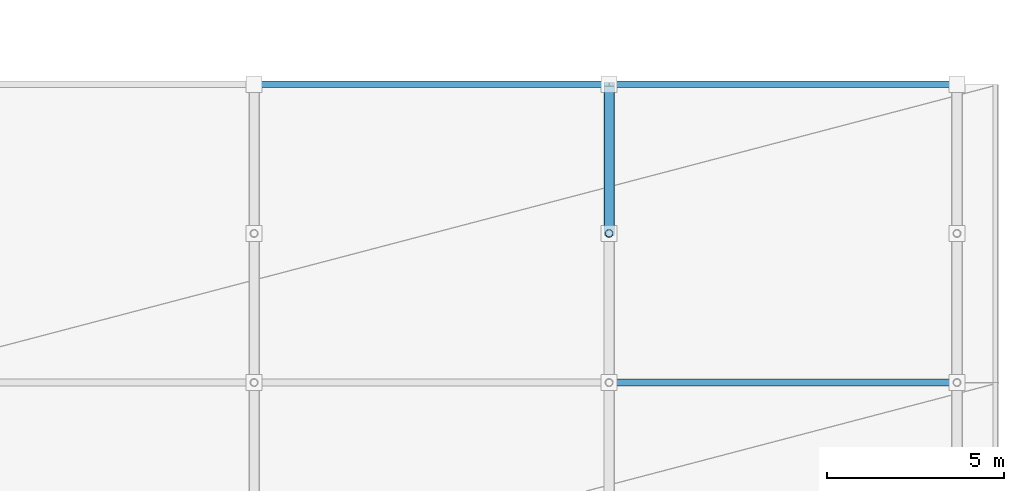
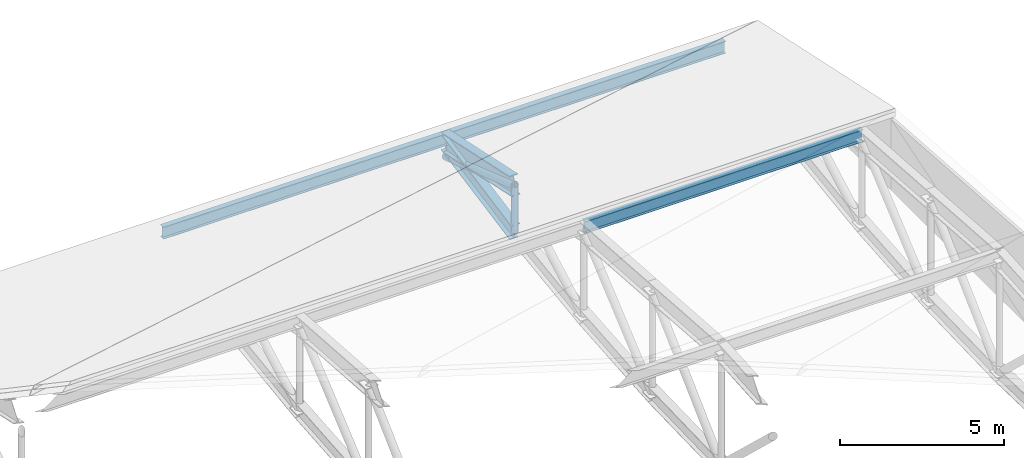
# One storey, part 55 of 87: 5 beams, 2 members.
"""IFC4 building model written with IfcOpenShell, lengths in metres."""

import ifcopenshell
import ifcopenshell.guid

model = None  # the IFC model being written
_history = None  # IfcOwnerHistory: only IFC2X3 demands one
_inside = {}  # id of a spatial element -> (the spatial element, [elements in it])
_under = {}  # id of a project, library or spatial element -> (it, [spatial elements below it])
_declared = {}  # id of a project -> (the project, [libraries it declares])
_typed = {}  # id of a type object -> (the type object, [elements of that type])
_made_of = {}  # id of a material, layer set ... -> (it, [elements and type objects made of it])


def new_model(schema):
    """Start an empty IFC model of exactly this schema.

    Asked for "IFC4X3", IfcOpenShell would pick the latest addendum, in which some entities
    have other attributes; the version numbers below select the first issue.
    IFC2X3 requires an IfcOwnerHistory on every rooted entity: one is made here for all.
    """
    global model, _history
    if schema == "IFC4X3":
        model = ifcopenshell.file(schema_version=(4, 3, 0, 0))
    else:
        model = ifcopenshell.file(schema=schema)
    _inside.clear()
    _under.clear()
    _declared.clear()
    _typed.clear()
    _made_of.clear()
    _history = None
    if model.schema == "IFC2X3":
        org = make("IfcOrganization", Name="unknown")
        user = make(
            "IfcPersonAndOrganization",
            ThePerson=make("IfcPerson", FamilyName="unknown"),
            TheOrganization=org,
        )
        app = make(
            "IfcApplication",
            ApplicationDeveloper=org,
            Version="unknown",
            ApplicationFullName="unknown",
            ApplicationIdentifier="unknown",
        )
        _history = make(
            "IfcOwnerHistory",
            OwningUser=user,
            OwningApplication=app,
            ChangeAction="ADDED",
            CreationDate=0,
        )
    return model


def make(cls, **values):
    """One entity of the class cls with the attributes given. An attribute that is None is left unset."""
    return model.create_entity(
        cls, **{name: value for name, value in values.items() if value is not None}
    )


def rooted(cls, **values):
    """An entity with a GlobalId (a new one), such as an element, a storey or a relation."""
    return make(cls, GlobalId=ifcopenshell.guid.new(), OwnerHistory=_history, **values)


def si_unit(unit_type, name, prefix=None):
    """IfcSIUnit, for example si_unit("LENGTHUNIT", "METRE", prefix="MILLI")."""
    return make("IfcSIUnit", UnitType=unit_type, Prefix=prefix, Name=name)


def assignment(units):
    """IfcUnitAssignment: the units of a project."""
    return None if units is None else make("IfcUnitAssignment", Units=units)


def point(xyz):
    """IfcCartesianPoint."""
    return None if xyz is None else make("IfcCartesianPoint", Coordinates=xyz)


def direction(xyz):
    """IfcDirection."""
    return None if xyz is None else make("IfcDirection", DirectionRatios=xyz)


def frame(location, z_axis=None, x_axis=None):
    """IfcAxis2Placement3D, a coordinate frame: its origin and axes. An axis left out is left unset."""
    return make(
        "IfcAxis2Placement3D",
        Location=point(location),
        Axis=direction(z_axis),
        RefDirection=direction(x_axis),
    )


def frame_2d(location, x_axis=None):
    """IfcAxis2Placement2D, a coordinate frame in the plane: its origin and x axis."""
    return make(
        "IfcAxis2Placement2D", Location=point(location), RefDirection=direction(x_axis)
    )


def origin():
    """The frame at (0, 0, 0) with its axes left unset."""
    return frame((0.0, 0.0, 0.0))


def origin_2d():
    """The frame at (0, 0) in the plane with its x axis left unset."""
    return frame_2d((0.0, 0.0))


def place(relative_to, where):
    """IfcLocalPlacement: puts the frame where relative to a parent placement (None: the world)."""
    return make(
        "IfcLocalPlacement", PlacementRelTo=relative_to, RelativePlacement=where
    )


def context(
    kind, dimensions, precision=None, world=None, true_north=None, identifier=None
):
    """IfcGeometricRepresentationContext, for example the 3D "Model" context."""
    return make(
        "IfcGeometricRepresentationContext",
        ContextIdentifier=identifier,
        ContextType=kind,
        CoordinateSpaceDimension=dimensions,
        Precision=precision,
        WorldCoordinateSystem=world,
        TrueNorth=true_north,
    )


def subcontext(parent, identifier, kind, view, scale=None):
    """IfcGeometricRepresentationSubContext, for example "Body" below "Model"."""
    return make(
        "IfcGeometricRepresentationSubContext",
        ContextIdentifier=identifier,
        ContextType=kind,
        ParentContext=parent,
        TargetScale=scale,
        TargetView=view,
    )


def project(units=None, contexts=None):
    """IfcProject with its units and contexts."""
    return rooted(
        "IfcProject",
        Name="project",
        RepresentationContexts=contexts,
        UnitsInContext=assignment(units),
    )


def spatial(cls, under=None, at=None, **own):
    """A site, building, storey or space (cls), placed at a placement, below another one or the project."""
    s = rooted(cls, ObjectPlacement=at, **own)
    if under is not None:
        _under.setdefault(under.id(), (under, []))[1].append(s)
    return s


def profile(cls, at=None, kind="AREA", **sizes):
    """A parametric profile (cls). Its sizes go by their IFC names, for example OverallWidth=200.0."""
    return make(cls, ProfileType=kind, Position=at, **sizes)


def hollow_circle(**sizes):
    """IfcCircleHollowProfileDef."""
    return profile("IfcCircleHollowProfileDef", **sizes)


def i_section(**sizes):
    """IfcIShapeProfileDef."""
    return profile("IfcIShapeProfileDef", **sizes)


def extrude(swept, where, along, depth):
    """IfcExtrudedAreaSolid: the profile swept, set in the frame where, extruded along a direction by depth."""
    return make(
        "IfcExtrudedAreaSolid",
        SweptArea=swept,
        Position=where,
        ExtrudedDirection=direction(along),
        Depth=depth,
    )


def shape(context_of_items, identifier, shape_type, items):
    """IfcShapeRepresentation: the items that make up one representation, for example the "Body"."""
    return make(
        "IfcShapeRepresentation",
        ContextOfItems=context_of_items,
        RepresentationIdentifier=identifier,
        RepresentationType=shape_type,
        Items=items,
    )


def material(Name=None, Category=None):
    """IfcMaterial."""
    return make("IfcMaterial", Name=Name, Category=Category)


def material_profile(
    of_material, cross_section, Name=None, Category=None, Priority=None
):
    """IfcMaterialProfile: a cross section and its material."""
    return make(
        "IfcMaterialProfile",
        Name=Name,
        Material=of_material,
        Profile=cross_section,
        Priority=Priority,
        Category=Category,
    )


def profile_set(profiles, Name=None, composite=None):
    """IfcMaterialProfileSet."""
    return make(
        "IfcMaterialProfileSet",
        Name=Name,
        MaterialProfiles=profiles,
        CompositeProfile=composite,
    )


def made_of(thing, what):
    """Note that an element or type object is made of a material, layer set ...; save() writes the relation."""
    if what is not None:
        _made_of.setdefault(what.id(), (what, []))[1].append(thing)
    return thing


def type_object(cls, material=None, **own):
    """A type object (cls), such as IfcWallType, which elements share."""
    return made_of(rooted(cls, **own), material)


def element(
    cls,
    number,
    at=None,
    inside=None,
    cuts=None,
    type_object=None,
    material=None,
    context=None,
    identifier="Body",
    shape_type=None,
    held_by="IfcProductDefinitionShape",
    body=None,
    shapes=None,
    **own,
):
    """One element of the class cls, such as IfcWall. Its Tag is "e" and its number.

    at: its placement. inside: the storey or other place that contains it. cuts: it is an
    opening in that element (IfcRelVoidsElement). A single representation is given by context,
    identifier, shape_type and body (its items); several are given by shapes. held_by: the class
    of the entity that holds the representations. save() writes the other relations.
    """
    e = rooted(cls, Tag="e%d" % number, ObjectPlacement=at, **own)
    if body is not None:
        shapes = [shape(context, identifier, shape_type, body)]
    if shapes is not None:
        e.Representation = make(held_by, Representations=shapes)
    if inside is not None:
        _inside.setdefault(inside.id(), (inside, []))[1].append(e)
    if cuts is not None:
        rooted(
            "IfcRelVoidsElement", RelatingBuildingElement=cuts, RelatedOpeningElement=e
        )
    if type_object is not None:
        _typed.setdefault(type_object.id(), (type_object, []))[1].append(e)
    return made_of(e, material)


def aggregate(whole, parts):
    """IfcRelAggregates: a whole, such as a stair, and the parts it consists of."""
    return rooted("IfcRelAggregates", RelatingObject=whole, RelatedObjects=parts)


def save(model, path):
    """Write the relations noted so far, then the file.

    IfcRelAggregates (storeys below a building ...), IfcRelContainedInSpatialStructure (elements
    in a storey), IfcRelDefinesByType, IfcRelAssociatesMaterial and IfcRelDeclares: one each for
    every whole, place, type object, material and project.
    """
    for whole, parts in _under.values():
        aggregate(whole, parts)
    for where, things in _inside.values():
        rooted(
            "IfcRelContainedInSpatialStructure",
            RelatedElements=things,
            RelatingStructure=where,
        )
    for kind, things in _typed.values():
        rooted("IfcRelDefinesByType", RelatedObjects=things, RelatingType=kind)
    for what, things in _made_of.values():
        rooted("IfcRelAssociatesMaterial", RelatedObjects=things, RelatingMaterial=what)
    for by, libraries in _declared.values():
        rooted("IfcRelDeclares", RelatingContext=by, RelatedDefinitions=libraries)
    model.write(path)


model = new_model("IFC4")

# Units and contexts
model_context = context("Model", 3, precision=1e-05, world=origin(), true_north=direction((0.0, 1.0)))
body_context = subcontext(model_context, "Body", "Model", "MODEL_VIEW")
ifc_project = project(units=[si_unit("LENGTHUNIT", "METRE"), si_unit("AREAUNIT", "SQUARE_METRE"), si_unit("VOLUMEUNIT", "CUBIC_METRE"), si_unit("PLANEANGLEUNIT", "RADIAN"), si_unit("MASSUNIT", "GRAM", prefix="KILO")], contexts=[model_context])

# Site, building, storey
site_placement = place(None, origin())
site = spatial("IfcSite", under=ifc_project, at=site_placement, CompositionType="ELEMENT")
building_placement = place(site_placement, origin())
building = spatial("IfcBuilding", under=site, at=building_placement, Name="Sohan Crest Arena", CompositionType="ELEMENT")
storey_placement = place(building_placement, frame((0.0, 0.0, 18.0)))
storey = spatial("IfcBuildingStorey", under=building, at=storey_placement, Name="L04", CompositionType="ELEMENT", Elevation=18.0)

# Beams
ifc_material = material(Name="Steel S355", Category="steel")
ifc_material_profile_1 = material_profile(ifc_material, i_section(OverallWidth=0.18994140625, OverallDepth=0.449951171875, WebThickness=0.009521484375, FlangeThickness=0.0146484375, at=origin_2d()), Name="IPE 450")
ifc_profile_set_1 = profile_set([ifc_material_profile_1], Name="Steel S355")
beam_type_1 = type_object("IfcBeamType", Name="STR-BM-B04", PredefinedType="JOIST", material=ifc_profile_set_1)
beam_1_placement = place(storey_placement, frame((216.0, 102.39990234375, 2.2900390625), z_axis=(1.0, 0.0, 0.0), x_axis=(0.0, 1.0, 0.0)))
element("IfcBeam", 1, at=beam_1_placement, inside=storey, type_object=beam_type_1, Name="Structural beam VP-L04-2498", PredefinedType="JOIST", context=body_context, shape_type="SweptSolid", body=[
    extrude(i_section(OverallWidth=0.18994140625, OverallDepth=0.449951171875, WebThickness=0.009521484375, FlangeThickness=0.0146484375, at=origin_2d()), origin(), (0.0, 0.0, 1.0), 9.800048828125),
])
beam_2_placement = place(storey_placement, frame((206.0, 110.800048828125, 0.489990234375), z_axis=(1.0, 0.0, 0.0), x_axis=(0.0, 1.0, 0.0)))
element("IfcBeam", 2, at=beam_2_placement, inside=storey, type_object=beam_type_1, Name="Structural beam VP-L04-2500", PredefinedType="JOIST", context=body_context, shape_type="SweptSolid", body=[
    extrude(i_section(OverallWidth=0.18994140625, OverallDepth=0.449951171875, WebThickness=0.009521484375, FlangeThickness=0.0146484375, at=origin_2d()), origin(), (0.0, 0.0, 1.0), 10.0),
])
beam_3_placement = place(storey_placement, frame((216.0, 110.800048828125, 0.489990234375), z_axis=(1.0, 0.0, 0.0), x_axis=(0.0, 1.0, 0.0)))
element("IfcBeam", 3, at=beam_3_placement, inside=storey, type_object=beam_type_1, Name="Structural beam VP-L04-2501", PredefinedType="JOIST", context=body_context, shape_type="SweptSolid", body=[
    extrude(i_section(OverallWidth=0.18994140625, OverallDepth=0.449951171875, WebThickness=0.009521484375, FlangeThickness=0.0146484375, at=origin_2d()), origin(), (0.0, 0.0, 1.0), 9.800048828125),
])
ifc_material_profile_2 = material_profile(ifc_material, i_section(OverallWidth=0.300048828125, OverallDepth=0.590087890625, WebThickness=0.012939453125, FlangeThickness=0.02490234375, at=origin_2d()), Name="HEA 600")
ifc_profile_set_2 = profile_set([ifc_material_profile_2], Name="Steel S355")
beam_type_2 = type_object("IfcBeamType", Name="STR-BM-B11", PredefinedType="BEAM", material=ifc_profile_set_2)
beam_4_placement = place(storey_placement, frame((216.0, 106.60009765625, -0.458984375), z_axis=(0.0, 0.981945733642, 0.189162829814), x_axis=(-1.0, 0.0, 0.0)))
element("IfcBeam", 4, at=beam_4_placement, inside=storey, type_object=beam_type_2, Name="Structural beam VAB-L04-2473", PredefinedType="BEAM", context=body_context, shape_type="SweptSolid", body=[
    extrude(i_section(OverallWidth=0.300048828125, OverallDepth=0.590087890625, WebThickness=0.012939453125, FlangeThickness=0.02490234375, at=origin_2d()), origin(), (0.0, 0.0, 1.0), 4.277099609375),
])
ifc_material_profile_3 = material_profile(ifc_material, i_section(OverallWidth=0.300048828125, OverallDepth=0.699951171875, WebThickness=0.01708984375, FlangeThickness=0.031982421875, at=origin_2d()), Name="HEB 700")
ifc_profile_set_3 = profile_set([ifc_material_profile_3], Name="Steel S355")
beam_type_3 = type_object("IfcBeamType", Name="STR-BM-B16", PredefinedType="BEAM", material=ifc_profile_set_3)
beam_5_placement = place(storey_placement, frame((216.0, 106.60009765625, 1.27001953125), z_axis=(0.0, 0.977806572858, -0.209509680146), x_axis=(-1.0, 0.0, 0.0)))
element("IfcBeam", 5, at=beam_5_placement, inside=storey, type_object=beam_type_3, Name="Structural beam VA-L04-2472", PredefinedType="BEAM", context=body_context, shape_type="SweptSolid", body=[
    extrude(i_section(OverallWidth=0.300048828125, OverallDepth=0.699951171875, WebThickness=0.01708984375, FlangeThickness=0.031982421875, at=origin_2d()), origin(), (0.0, 0.0, 1.0), 4.295166015625),
])

# Members
ifc_material_profile_4 = material_profile(ifc_material, hollow_circle(Radius=0.109619140625, WallThickness=0.010009765625, at=origin_2d()), Name="CHS 219.1x10")
ifc_profile_set_4 = profile_set([ifc_material_profile_4], Name="Steel S355")
member_type_1 = type_object("IfcMemberType", Name="STR-MEM-BR01", PredefinedType="BRACE", material=ifc_profile_set_4)
member_1_placement = place(storey_placement, frame((216.0, 106.60009765625, -0.458984375), z_axis=(0.0, 0.0, 1.0), x_axis=(1.0, 0.0, 0.0)))
element("IfcMember", 6, at=member_1_placement, inside=storey, type_object=member_type_1, Name="Vault truss web strut VW-044", PredefinedType="BRACE", context=body_context, shape_type="SweptSolid", body=[
    extrude(hollow_circle(Radius=0.109619140625, WallThickness=0.010009765625, at=origin_2d()), origin(), (0.0, 0.0, 1.0), 1.72900390625),
])
ifc_material_profile_5 = material_profile(ifc_material, hollow_circle(Radius=0.136474609375, WallThickness=0.012451171875, at=origin_2d()), Name="CHS 273x12.5")
ifc_profile_set_5 = profile_set([ifc_material_profile_5], Name="Steel S355")
member_type_2 = type_object("IfcMemberType", Name="STR-MEM-BR02", PredefinedType="BRACE", material=ifc_profile_set_5)
member_2_placement = place(storey_placement, frame((216.0, 110.800048828125, -0.18994140625), z_axis=(0.0, -0.944559001123, 0.328341732646), x_axis=(1.0, 0.0, 0.0)))
element("IfcMember", 7, at=member_2_placement, inside=storey, type_object=member_type_2, Name="Vault truss diagonal VDG-045", PredefinedType="BRACE", context=body_context, shape_type="SweptSolid", body=[
    extrude(hollow_circle(Radius=0.136474609375, WallThickness=0.012451171875, at=origin_2d()), origin(), (0.0, 0.0, 1.0), 4.446533203125),
])

save(model, "model.ifc")
